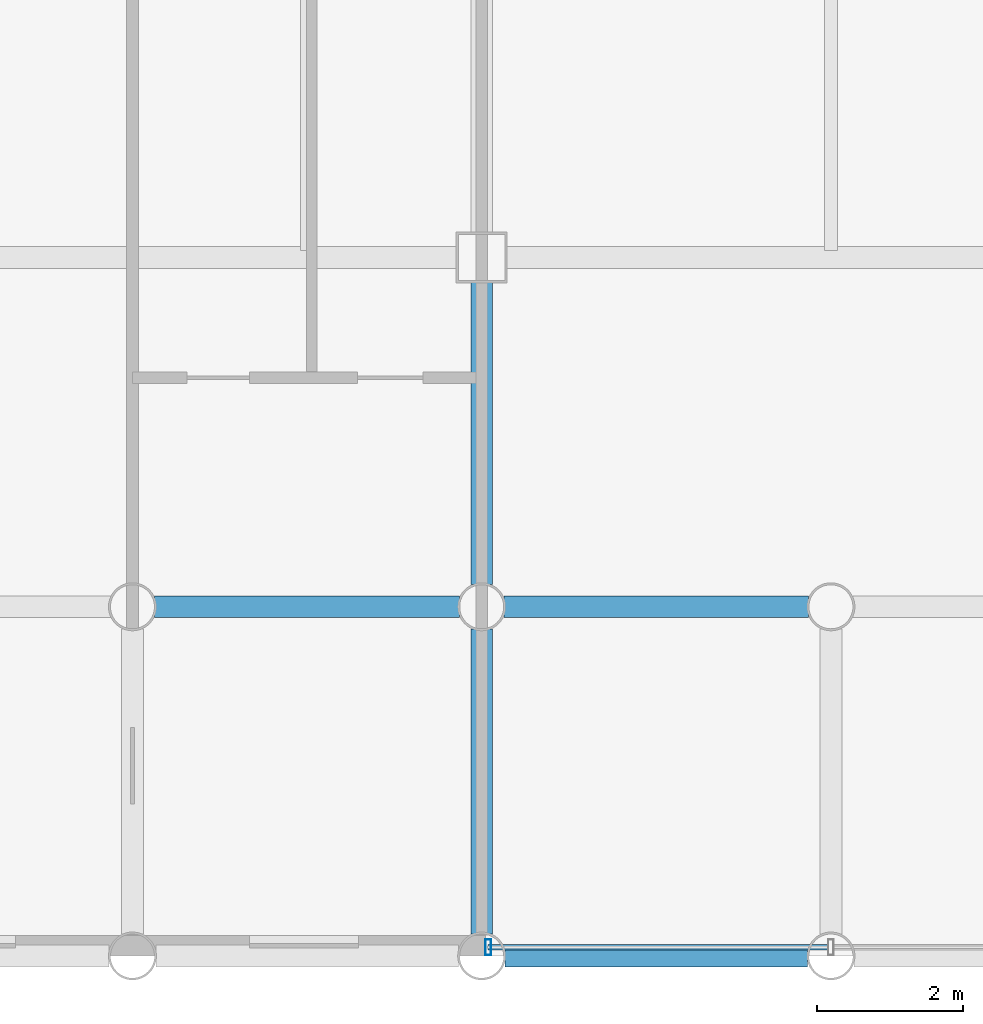
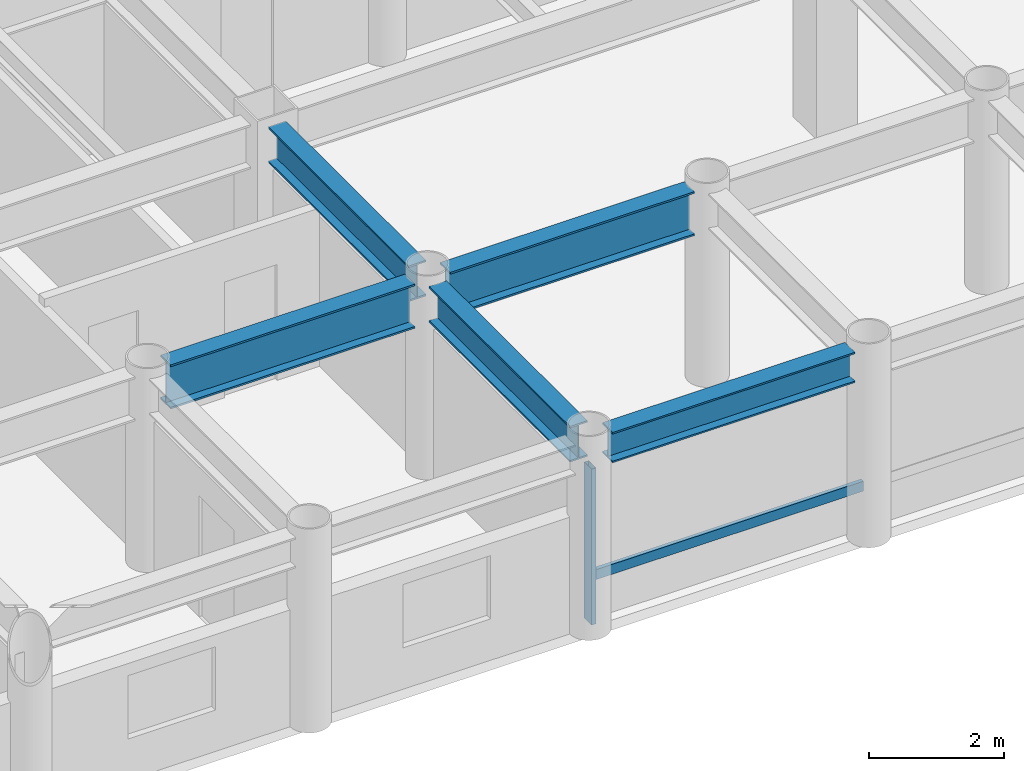
# One storey, part 2 of 20: 5 beams, 2 members, 1 element without a shape of its own.
"""IFC4 building model written with IfcOpenShell, lengths in metres."""

from ifc_helpers import new_model, si_unit, direction, frame, origin, origin_2d, place, context, subcontext, project, spatial, hollow_rectangle, i_section, extrude, material, layer, layer_set, material_profile, profile_set, type_object, element, aggregate, save


model = new_model("IFC4")

# Units and contexts
model_context = context("Model", 3, precision=1e-05, world=origin(), true_north=direction((0.0, 1.0)))
body_context = subcontext(model_context, "Body", "Model", "MODEL_VIEW")
ifc_project = project(units=[si_unit("LENGTHUNIT", "METRE"), si_unit("AREAUNIT", "SQUARE_METRE"), si_unit("VOLUMEUNIT", "CUBIC_METRE"), si_unit("PLANEANGLEUNIT", "RADIAN"), si_unit("MASSUNIT", "GRAM", prefix="KILO")], contexts=[model_context])

# Site, building, storey
site_placement = place(None, origin())
site = spatial("IfcSite", under=ifc_project, at=site_placement, CompositionType="ELEMENT")
building_placement = place(site_placement, origin())
building = spatial("IfcBuilding", under=site, at=building_placement, Name="Kallvorn Hotel Tower", CompositionType="ELEMENT")
storey_placement = place(building_placement, frame((0.0, 0.0, 172.89990234375)))
storey = spatial("IfcBuildingStorey", under=building, at=storey_placement, Name="L43", CompositionType="ELEMENT", Elevation=172.89990234375)

# Beams
ifc_material_1 = material(Name="Structural steel S355JR", Category="steel")
ifc_material_profile_1 = material_profile(ifc_material_1, i_section(OverallWidth=0.300048828125, OverallDepth=0.550048828125, WebThickness=0.014892578125, FlangeThickness=0.029052734375, at=origin_2d()), Name="HE 550 B")
ifc_profile_set_1 = profile_set([ifc_material_profile_1], Name="Structural steel S355JR")
beam_type_1 = type_object("IfcBeamType", Name="BM_HE550B", PredefinedType="SPANDREL", material=ifc_profile_set_1)
beam_1_placement = place(storey_placement, frame((-4.47998046875, -24.0, 3.2451171875), z_axis=(1.0, 0.0, 0.0), x_axis=(0.0, 1.0, 0.0)))
element("IfcBeam", 1, at=beam_1_placement, inside=storey, type_object=beam_type_1, Name="L44 Perimeter Spandrel 156", PredefinedType="SPANDREL", context=body_context, shape_type="SweptSolid", body=[
    extrude(i_section(OverallWidth=0.300048828125, OverallDepth=0.550048828125, WebThickness=0.014892578125, FlangeThickness=0.029052734375, at=origin_2d()), origin(), (0.0, 0.0, 1.0), 4.159912109375),
])
ifc_material_2 = material(Name="Structural steel S355JR", Category="steel")
ifc_material_profile_2 = material_profile(ifc_material_2, i_section(OverallWidth=0.300048828125, OverallDepth=0.64990234375, WebThickness=0.01611328125, FlangeThickness=0.031005859375, at=origin_2d()), Name="HE 650 B")
ifc_profile_set_2 = profile_set([ifc_material_profile_2], Name="Structural steel S355JR")
beam_type_2 = type_object("IfcBeamType", Name="BM_HE650B", PredefinedType="BEAM", material=ifc_profile_set_2)
beam_2_placement = place(storey_placement, frame((-4.800048828125, -23.695068359375, 3.195068359375), z_axis=(0.0, 1.0, 0.0), x_axis=(-1.0, 0.0, 0.0)))
element("IfcBeam", 2, at=beam_2_placement, inside=storey, type_object=beam_type_2, Name="L44 Primary Y-Girder 106", PredefinedType="BEAM", context=body_context, shape_type="SweptSolid", body=[
    extrude(i_section(OverallWidth=0.300048828125, OverallDepth=0.64990234375, WebThickness=0.01611328125, FlangeThickness=0.031005859375, at=origin_2d()), origin(), (0.0, 0.0, 1.0), 4.190185546875),
])
beam_3_placement = place(storey_placement, frame((-4.800048828125, -18.89501953125, 3.195068359375), z_axis=(0.0, 1.0, 0.0), x_axis=(-1.0, 0.0, 0.0)))
element("IfcBeam", 3, at=beam_3_placement, inside=storey, type_object=beam_type_2, Name="L44 Primary Y-Girder 107", PredefinedType="BEAM", context=body_context, shape_type="SweptSolid", body=[
    extrude(i_section(OverallWidth=0.300048828125, OverallDepth=0.64990234375, WebThickness=0.01611328125, FlangeThickness=0.031005859375, at=origin_2d()), origin(), (0.0, 0.0, 1.0), 4.169921875),
])
ifc_material_3 = material(Name="Structural steel S355JR", Category="steel")
ifc_material_profile_3 = material_profile(ifc_material_3, i_section(OverallWidth=0.300048828125, OverallDepth=0.800048828125, WebThickness=0.017578125, FlangeThickness=0.032958984375, at=origin_2d()), Name="HE 800 B")
ifc_profile_set_3 = profile_set([ifc_material_profile_3], Name="Structural steel S355JR")
beam_type_3 = type_object("IfcBeamType", Name="BM_HE800B", PredefinedType="BEAM", material=ifc_profile_set_3)
beam_4_placement = place(storey_placement, frame((-9.294921875, -19.199951171875, 3.1201171875), z_axis=(1.0, 0.0, 0.0), x_axis=(0.0, 1.0, 0.0)))
element("IfcBeam", 4, at=beam_4_placement, inside=storey, type_object=beam_type_3, Name="L44 Primary X-Girder 06", PredefinedType="BEAM", context=body_context, shape_type="SweptSolid", body=[
    extrude(i_section(OverallWidth=0.300048828125, OverallDepth=0.800048828125, WebThickness=0.017578125, FlangeThickness=0.032958984375, at=origin_2d()), origin(), (0.0, 0.0, 1.0), 4.18994140625),
])
beam_5_placement = place(storey_placement, frame((-4.4951171875, -19.199951171875, 3.1201171875), z_axis=(1.0, 0.0, 0.0), x_axis=(0.0, 1.0, 0.0)))
element("IfcBeam", 5, at=beam_5_placement, inside=storey, type_object=beam_type_3, Name="L44 Primary X-Girder 07", PredefinedType="BEAM", context=body_context, shape_type="SweptSolid", body=[
    extrude(i_section(OverallWidth=0.300048828125, OverallDepth=0.800048828125, WebThickness=0.017578125, FlangeThickness=0.032958984375, at=origin_2d()), origin(), (0.0, 0.0, 1.0), 4.190185546875),
])

# Curtain wall, members
ifc_material_4 = material(Name="Thermally broken black-anodised aluminium AA 6063-T6", Category="aluminium")
ifc_layer = layer(ifc_material_4, 0.2099609375)
ifc_layer_set = layer_set([ifc_layer], Name="CW_SYS_4_HOTEL_MID")
curtain_wall_type = type_object("IfcCurtainWallType", Name="CW_SYS_4_HOTEL_MID", PredefinedType="USERDEFINED", material=ifc_layer_set)
curtain_wall_placement = place(storey_placement, origin())
curtain_wall = element("IfcCurtainWall", 6, at=curtain_wall_placement, inside=storey, type_object=curtain_wall_type, Name="L43 Dark-Glass Curtain Wall CW-L43-SC", ObjectType="UNITISED CURTAIN WALL", PredefinedType="USERDEFINED")
ifc_material_5 = material(Name="Thermally broken black-anodised aluminium AA 6063-T6", Category="aluminium")
ifc_material_profile_4 = material_profile(ifc_material_5, hollow_rectangle(XDim=0.080078125, YDim=0.219970703125, WallThickness=0.0048828125, at=origin_2d()), Name="MUL 220x80")
ifc_profile_set_4 = profile_set([ifc_material_profile_4], Name="Thermally broken black-anodised aluminium AA 6063-T6")
member_type_1 = type_object("IfcMemberType", Name="CW_MULLION_220x80", PredefinedType="MULLION", material=ifc_profile_set_4)
member_1_placement = place(storey_placement, frame((-4.7099609375, -23.8798828125, 0.02001953125), z_axis=(0.0, 0.0, 1.0), x_axis=(1.0, 0.0, 0.0)))
member_1 = element("IfcMember", 7, at=member_1_placement, type_object=member_type_1, Name="CW-L43-SC Mullion 00", PredefinedType="MULLION", context=body_context, shape_type="SweptSolid", body=[
    extrude(hollow_rectangle(XDim=0.080078125, YDim=0.219970703125, WallThickness=0.0048828125, at=origin_2d()), origin(), (0.0, 0.0, 1.0), 2.830078125),
])
ifc_material_6 = material(Name="Thermally broken black-anodised aluminium AA 6063-T6", Category="aluminium")
ifc_material_profile_5 = material_profile(ifc_material_6, hollow_rectangle(XDim=0.070068359375, YDim=0.179931640625, WallThickness=0.00390625, at=origin_2d()), Name="TRN 180x70")
ifc_profile_set_5 = profile_set([ifc_material_profile_5], Name="Thermally broken black-anodised aluminium AA 6063-T6")
member_type_2 = type_object("IfcMemberType", Name="CW_TRANSOM_180x70", PredefinedType="USERDEFINED", material=ifc_profile_set_5)
member_2_placement = place(storey_placement, frame((-4.7099609375, -23.8798828125, 0.85009765625), z_axis=(1.0, 0.0, 0.0), x_axis=(0.0, 1.0, 0.0)))
member_2 = element("IfcMember", 8, at=member_2_placement, type_object=member_type_2, Name="CW-L43-SC Transom 00M", ObjectType="TRANSOM", PredefinedType="USERDEFINED", context=body_context, shape_type="SweptSolid", body=[
    extrude(hollow_rectangle(XDim=0.070068359375, YDim=0.179931640625, WallThickness=0.00390625, at=origin_2d()), origin(), (0.0, 0.0, 1.0), 4.669921875),
])
aggregate(curtain_wall, [member_1, member_2])

save(model, "model.ifc")
